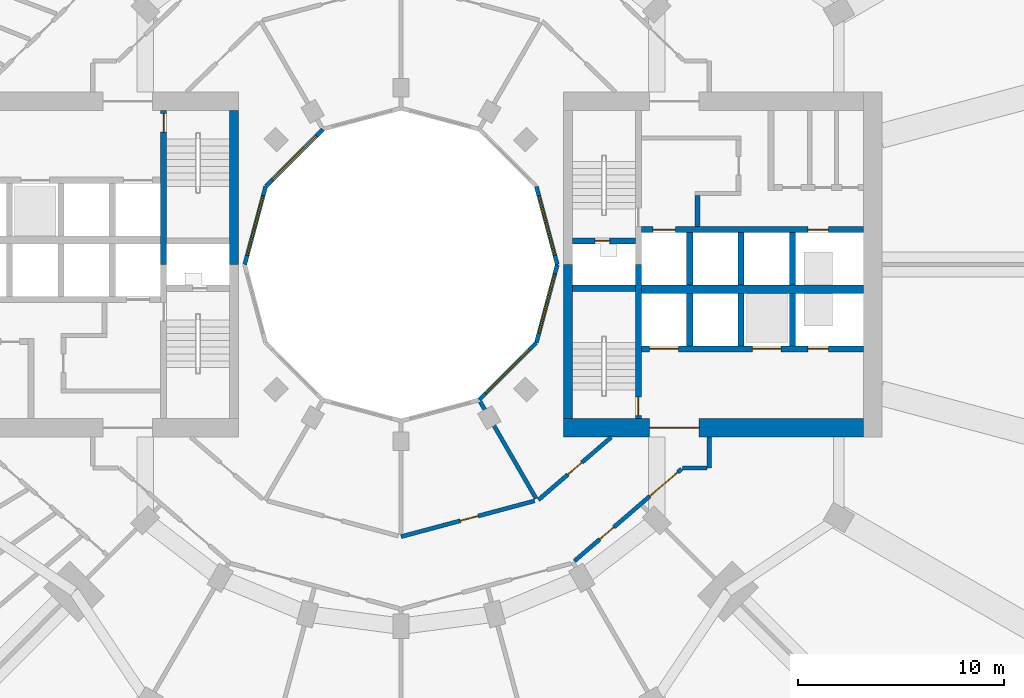
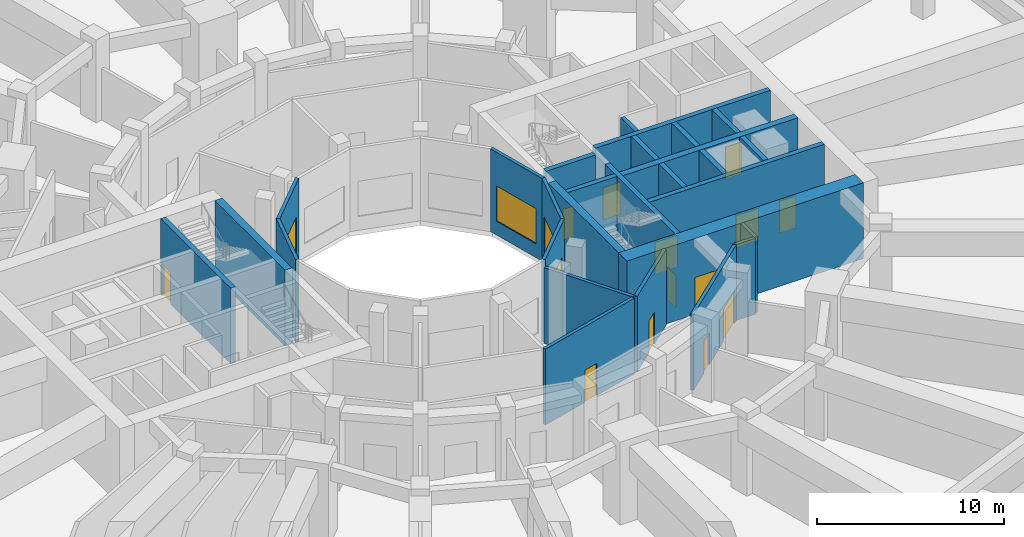
# One storey, part 24 of 30: 28 walls, 13 doors, 5 windows, 18 openings.
"""IFC4 building model written with IfcOpenShell, lengths in metres."""

from ifc_helpers import new_model, si_unit, direction, frame, frame_2d, origin, place, context, subcontext, project, spatial, rectangle, extrude, material, layer, layer_set, type_object, element, fill, save


model = new_model("IFC4")

# Units and contexts
model_context = context("Model", 3, precision=1e-05, world=origin(), true_north=direction((0.0, 1.0)))
body_context = subcontext(model_context, "Body", "Model", "MODEL_VIEW")
ifc_project = project(units=[si_unit("LENGTHUNIT", "METRE"), si_unit("AREAUNIT", "SQUARE_METRE"), si_unit("VOLUMEUNIT", "CUBIC_METRE"), si_unit("PLANEANGLEUNIT", "RADIAN"), si_unit("MASSUNIT", "GRAM", prefix="KILO")], contexts=[model_context])

# Site, building, storey
site_placement = place(None, origin())
site = spatial("IfcSite", under=ifc_project, at=site_placement, CompositionType="ELEMENT")
building_placement = place(site_placement, origin())
building = spatial("IfcBuilding", under=site, at=building_placement, Name="Torre Brocal", CompositionType="ELEMENT")
storey_placement = place(building_placement, frame((0.0, 0.0, 7.0)))
storey = spatial("IfcBuildingStorey", under=building, at=storey_placement, Name="L01", CompositionType="ELEMENT", Elevation=7.0)

# Wall
ifc_material_1 = material(Name="Concrete C80", Category="concrete")
ifc_layer_1 = layer(ifc_material_1, 0.25)
ifc_layer_set_1 = layer_set([ifc_layer_1], Name="Concrete C80")
wall_type_1 = type_object("IfcWallType", Name="CORE WALL 250 C80 UNDER 450 SLAB", PredefinedType="SHEAR", material=ifc_layer_set_1)
wall_1_placement = place(storey_placement, frame((94.425048828125, 76.85009765625, 0.0), z_axis=(0.0, 0.0, 1.0), x_axis=(0.0, 1.0, 0.0)))
element("IfcWall", 1, at=wall_1_placement, inside=storey, type_object=wall_type_1, Name="Wall CW250-80-S450", PredefinedType="SHEAR", context=body_context, shape_type="SweptSolid", body=[
    extrude(rectangle(XDim=1.5, YDim=0.25, at=frame_2d((0.75, 0.0))), origin(), (0.0, 0.0, 1.0), 4.949951171875),
])

# Wall, opening, door
ifc_material_2 = material(Name="Concrete C80", Category="concrete")
ifc_layer_2 = layer(ifc_material_2, 0.300048828125)
ifc_layer_set_2 = layer_set([ifc_layer_2], Name="Concrete C80")
wall_type_2 = type_object("IfcWallType", Name="CORE WALL 300 C80 UNDER 450 SLAB", PredefinedType="SHEAR", material=ifc_layer_set_2)
wall_2_placement = place(storey_placement, frame((91.550048828125, 67.5, 0.0), z_axis=(0.0, 0.0, 1.0), x_axis=(0.0, 1.0, 0.0)))
wall_2 = element("IfcWall", 2, at=wall_2_placement, inside=storey, type_object=wall_type_2, Name="Wall CW300-80-S450", PredefinedType="SHEAR", context=body_context, shape_type="SweptSolid", body=[
    extrude(rectangle(XDim=7.5, YDim=0.300048828125, at=frame_2d((3.75, 0.0))), origin(), (0.0, 0.0, 1.0), 4.949951171875),
])
opening_1_placement = place(wall_2_placement, frame((0.14990234375, 0.0, 0.0)))
opening_1 = element("IfcOpeningElement", 3, at=opening_1_placement, cuts=wall_2, Name="Opening E-D03", PredefinedType="OPENING", context=body_context, shape_type="SweptSolid", body=[
    extrude(rectangle(XDim=0.89990234375, YDim=2.10009765625, at=frame_2d((0.449951171875, 1.050048828125))), frame((0.0, 0.159912109375, 0.0), z_axis=(0.0, -1.0, 0.0), x_axis=(1.0, 0.0, 0.0)), (0.0, 0.0, 1.0), 0.320068359375),
])
ifc_material_3 = material(Name="Steel A653", Category="steel")
door_type_1 = type_object("IfcDoorType", Name="STAIR DOOR FD120 900X2100", OperationType="SINGLE_SWING_RIGHT", PredefinedType="DOOR", material=ifc_material_3)
door_1_placement = place(opening_1_placement, origin())
door_1 = element("IfcDoor", 4, at=door_1_placement, inside=storey, type_object=door_type_1, Name="Door E-D03", OperationType="SINGLE_SWING_LEFT", OverallHeight=2.10009765625, OverallWidth=0.89990234375, PredefinedType="DOOR", context=body_context, shape_type="SweptSolid", body=[
    extrude(rectangle(XDim=0.89990234375, YDim=2.10009765625, at=frame_2d((0.449951171875, 1.050048828125))), frame((0.0, 0.02490234375, 0.0), z_axis=(0.0, -1.0, 0.0), x_axis=(1.0, 0.0, 0.0)), (0.0, 0.0, 1.0), 0.050048828125),
])
fill(opening_1, door_1)

wall_3_placement = place(storey_placement, frame((88.35009765625, 76.14990234375, 0.0), z_axis=(0.0, 0.0, 1.0), x_axis=(1.0, 0.0, 0.0)))
wall_3 = element("IfcWall", 5, at=wall_3_placement, inside=storey, type_object=wall_type_2, Name="Wall CW300-80-S450", PredefinedType="SHEAR", context=body_context, shape_type="SweptSolid", body=[
    extrude(rectangle(XDim=3.0498046875, YDim=0.300048828125, at=frame_2d((1.52490234375, 0.0))), origin(), (0.0, 0.0, 1.0), 4.949951171875),
])
opening_2_placement = place(wall_3_placement, frame((1.10009765625, 0.0, 0.0)))
opening_2 = element("IfcOpeningElement", 6, at=opening_2_placement, cuts=wall_3, Name="Opening E-D01", PredefinedType="OPENING", context=body_context, shape_type="SweptSolid", body=[
    extrude(rectangle(XDim=0.699951171875, YDim=2.0, at=frame_2d((0.35009765625, 1.0))), frame((0.0, 0.159912109375, 0.0), z_axis=(0.0, -1.0, 0.0), x_axis=(1.0, 0.0, 0.0)), (0.0, 0.0, 1.0), 0.320068359375),
])
ifc_material_4 = material(Name="Steel A653", Category="steel")
door_type_2 = type_object("IfcDoorType", Name="RISER DOOR FD120 700X2000", OperationType="SINGLE_SWING_LEFT", PredefinedType="DOOR", material=ifc_material_4)
door_2_placement = place(opening_2_placement, frame((0.699951171875, 0.0, 0.0), z_axis=(0.0, 0.0, 1.0), x_axis=(-1.0, 0.0, 0.0)))
door_2 = element("IfcDoor", 7, at=door_2_placement, inside=storey, type_object=door_type_2, Name="Door E-D01", OperationType="SINGLE_SWING_RIGHT", OverallHeight=2.0, OverallWidth=0.699951171875, PredefinedType="DOOR", context=body_context, shape_type="SweptSolid", body=[
    extrude(rectangle(XDim=0.699951171875, YDim=2.0, at=frame_2d((0.35009765625, 1.0))), frame((0.0, 0.02490234375, 0.0), z_axis=(0.0, -1.0, 0.0), x_axis=(1.0, 0.0, 0.0)), (0.0, 0.0, 1.0), 0.050048828125),
])
fill(opening_2, door_2)

# Wall
wall_4_placement = place(storey_placement, frame((88.35009765625, 73.85009765625, 0.0), z_axis=(0.0, 0.0, 1.0), x_axis=(1.0, 0.0, 0.0)))
element("IfcWall", 8, at=wall_4_placement, inside=storey, type_object=wall_type_2, Name="Wall CW300-80-S450", PredefinedType="SHEAR", context=body_context, shape_type="SweptSolid", body=[
    extrude(rectangle(XDim=3.0498046875, YDim=0.300048828125, at=frame_2d((1.52490234375, 0.0))), origin(), (0.0, 0.0, 1.0), 4.949951171875),
])

# Wall, openings, doors
wall_5_placement = place(storey_placement, frame((91.699951171875, 76.699951171875, 0.0), z_axis=(0.0, 0.0, 1.0), x_axis=(1.0, 0.0, 0.0)))
wall_5 = element("IfcWall", 9, at=wall_5_placement, inside=storey, type_object=wall_type_2, Name="Wall CW300-80-S450", PredefinedType="SHEAR", context=body_context, shape_type="SweptSolid", body=[
    extrude(rectangle(XDim=10.800048828125, YDim=0.300048828125, at=frame_2d((5.39990234375, 0.0))), origin(), (0.0, 0.0, 1.0), 4.949951171875),
])
opening_3_placement = place(wall_5_placement, frame((0.550048828125, 0.0, 0.0)))
opening_3 = element("IfcOpeningElement", 10, at=opening_3_placement, cuts=wall_5, Name="Opening LD", PredefinedType="OPENING", context=body_context, shape_type="SweptSolid", body=[
    extrude(rectangle(XDim=1.10009765625, YDim=2.10009765625, at=frame_2d((0.550048828125, 1.050048828125))), frame((0.0, 0.159912109375, 0.0), z_axis=(0.0, -1.0, 0.0), x_axis=(1.0, 0.0, 0.0)), (0.0, 0.0, 1.0), 0.320068359375),
])
opening_4_placement = place(wall_5_placement, frame((8.10009765625, 0.0, 0.0)))
opening_4 = element("IfcOpeningElement", 11, at=opening_4_placement, cuts=wall_5, Name="Opening LD10", PredefinedType="OPENING", context=body_context, shape_type="SweptSolid", body=[
    extrude(rectangle(XDim=1.0, YDim=2.10009765625, at=frame_2d((0.5, 1.050048828125))), frame((0.0, 0.159912109375, 0.0), z_axis=(0.0, -1.0, 0.0), x_axis=(1.0, 0.0, 0.0)), (0.0, 0.0, 1.0), 0.320068359375),
])
ifc_material_5 = material(Name="Stainless steel AISI 316", Category="steel")
door_type_3 = type_object("IfcDoorType", Name="LIFT LANDING DOOR 1000X2100", OperationType="DOUBLE_DOOR_SLIDING", PredefinedType="DOOR", material=ifc_material_5)
door_3_placement = place(opening_4_placement, origin())
door_3 = element("IfcDoor", 12, at=door_3_placement, inside=storey, type_object=door_type_3, Name="Door LD10", OperationType="DOUBLE_DOOR_SLIDING", OverallHeight=2.10009765625, OverallWidth=1.0, PredefinedType="DOOR", context=body_context, shape_type="SweptSolid", body=[
    extrude(rectangle(XDim=1.0, YDim=2.10009765625, at=frame_2d((0.5, 1.050048828125))), frame((0.0, 0.02490234375, 0.0), z_axis=(0.0, -1.0, 0.0), x_axis=(1.0, 0.0, 0.0)), (0.0, 0.0, 1.0), 0.050048828125),
])
fill(opening_4, door_3)
ifc_material_6 = material(Name="Stainless steel AISI 316", Category="steel")
door_type_4 = type_object("IfcDoorType", Name="LIFT LANDING DOOR 1100X2100", OperationType="DOUBLE_DOOR_SLIDING", PredefinedType="DOOR", material=ifc_material_6)
door_4_placement = place(opening_3_placement, origin())
door_4 = element("IfcDoor", 13, at=door_4_placement, inside=storey, type_object=door_type_4, Name="Door LD", OperationType="DOUBLE_DOOR_SLIDING", OverallHeight=2.10009765625, OverallWidth=1.10009765625, PredefinedType="DOOR", context=body_context, shape_type="SweptSolid", body=[
    extrude(rectangle(XDim=1.10009765625, YDim=2.10009765625, at=frame_2d((0.550048828125, 1.050048828125))), frame((0.0, 0.02490234375, 0.0), z_axis=(0.0, -1.0, 0.0), x_axis=(1.0, 0.0, 0.0)), (0.0, 0.0, 1.0), 0.050048828125),
])
fill(opening_3, door_4)

wall_6_placement = place(storey_placement, frame((91.699951171875, 70.89990234375, 0.0), z_axis=(0.0, 0.0, 1.0), x_axis=(1.0, 0.0, 0.0)))
wall_6 = element("IfcWall", 14, at=wall_6_placement, inside=storey, type_object=wall_type_2, Name="Wall CW300-80-S450", PredefinedType="SHEAR", context=body_context, shape_type="SweptSolid", body=[
    extrude(rectangle(XDim=10.800048828125, YDim=0.300048828125, at=frame_2d((5.39990234375, 0.0))), origin(), (0.0, 0.0, 1.0), 4.949951171875),
])
opening_5_placement = place(wall_6_placement, frame((0.39990234375, 0.0, 0.0)))
opening_5 = element("IfcOpeningElement", 15, at=opening_5_placement, cuts=wall_6, Name="Opening LD14", PredefinedType="OPENING", context=body_context, shape_type="SweptSolid", body=[
    extrude(rectangle(XDim=1.39990234375, YDim=2.10009765625, at=frame_2d((0.699951171875, 1.050048828125))), frame((0.0, 0.159912109375, 0.0), z_axis=(0.0, -1.0, 0.0), x_axis=(1.0, 0.0, 0.0)), (0.0, 0.0, 1.0), 0.320068359375),
])
opening_6_placement = place(wall_6_placement, frame((5.39990234375, 0.0, 0.0)))
opening_6 = element("IfcOpeningElement", 16, at=opening_6_placement, cuts=wall_6, Name="Opening LD14", PredefinedType="OPENING", context=body_context, shape_type="SweptSolid", body=[
    extrude(rectangle(XDim=1.39990234375, YDim=2.10009765625, at=frame_2d((0.699951171875, 1.050048828125))), frame((0.0, 0.159912109375, 0.0), z_axis=(0.0, -1.0, 0.0), x_axis=(1.0, 0.0, 0.0)), (0.0, 0.0, 1.0), 0.320068359375),
])
opening_7_placement = place(wall_6_placement, frame((8.10009765625, 0.0, 0.0)))
opening_7 = element("IfcOpeningElement", 17, at=opening_7_placement, cuts=wall_6, Name="Opening LD10", PredefinedType="OPENING", context=body_context, shape_type="SweptSolid", body=[
    extrude(rectangle(XDim=1.0, YDim=2.10009765625, at=frame_2d((0.5, 1.050048828125))), frame((0.0, 0.159912109375, 0.0), z_axis=(0.0, -1.0, 0.0), x_axis=(1.0, 0.0, 0.0)), (0.0, 0.0, 1.0), 0.320068359375),
])
door_5_placement = place(opening_7_placement, origin())
door_5 = element("IfcDoor", 18, at=door_5_placement, inside=storey, type_object=door_type_3, Name="Door LD10", OperationType="DOUBLE_DOOR_SLIDING", OverallHeight=2.10009765625, OverallWidth=1.0, PredefinedType="DOOR", context=body_context, shape_type="SweptSolid", body=[
    extrude(rectangle(XDim=1.0, YDim=2.10009765625, at=frame_2d((0.5, 1.050048828125))), frame((0.0, 0.02490234375, 0.0), z_axis=(0.0, -1.0, 0.0), x_axis=(1.0, 0.0, 0.0)), (0.0, 0.0, 1.0), 0.050048828125),
])
fill(opening_7, door_5)
ifc_material_7 = material(Name="Stainless steel AISI 316", Category="steel")
door_type_5 = type_object("IfcDoorType", Name="LIFT LANDING DOOR 1400X2100", OperationType="DOUBLE_DOOR_SLIDING", PredefinedType="DOOR", material=ifc_material_7)
door_6_placement = place(opening_5_placement, origin())
door_6 = element("IfcDoor", 19, at=door_6_placement, inside=storey, type_object=door_type_5, Name="Door LD14", OperationType="DOUBLE_DOOR_SLIDING", OverallHeight=2.10009765625, OverallWidth=1.39990234375, PredefinedType="DOOR", context=body_context, shape_type="SweptSolid", body=[
    extrude(rectangle(XDim=1.39990234375, YDim=2.10009765625, at=frame_2d((0.699951171875, 1.050048828125))), frame((0.0, 0.02490234375, 0.0), z_axis=(0.0, -1.0, 0.0), x_axis=(1.0, 0.0, 0.0)), (0.0, 0.0, 1.0), 0.050048828125),
])
fill(opening_5, door_6)
door_7_placement = place(opening_6_placement, origin())
door_7 = element("IfcDoor", 20, at=door_7_placement, inside=storey, type_object=door_type_5, Name="Door LD14", OperationType="DOUBLE_DOOR_SLIDING", OverallHeight=2.10009765625, OverallWidth=1.39990234375, PredefinedType="DOOR", context=body_context, shape_type="SweptSolid", body=[
    extrude(rectangle(XDim=1.39990234375, YDim=2.10009765625, at=frame_2d((0.699951171875, 1.050048828125))), frame((0.0, 0.02490234375, 0.0), z_axis=(0.0, -1.0, 0.0), x_axis=(1.0, 0.0, 0.0)), (0.0, 0.0, 1.0), 0.050048828125),
])
fill(opening_6, door_7)

# Walls
for number, where, z_axis, x_axis, name in (
    (21, (94.050048828125, 74.0, 0.0), (0.0, 0.0, 1.0), (0.0, 1.0, 0.0), "Wall CW300-80-S450"),
    (22, (96.550048828125, 74.0, 0.0), (0.0, 0.0, 1.0), (0.0, 1.0, 0.0), "Wall CW300-80-S450"),
    (23, (99.050048828125, 74.0, 0.0), (0.0, 0.0, 1.0), (0.0, 1.0, 0.0), "Wall CW300-80-S450"),
    (24, (94.050048828125, 71.050048828125, 0.0), (0.0, 0.0, 1.0), (0.0, 1.0, 0.0), "Wall CW300-80-S450"),
    (25, (96.550048828125, 71.050048828125, 0.0), (0.0, 0.0, 1.0), (0.0, 1.0, 0.0), "Wall CW300-80-S450"),
    (26, (99.050048828125, 71.050048828125, 0.0), (0.0, 0.0, 1.0), (0.0, 1.0, 0.0), "Wall CW300-80-S450"),
):
    element("IfcWall", number, at=place(storey_placement, frame(where, z_axis=z_axis, x_axis=x_axis)), inside=storey, type_object=wall_type_2, Name=name, PredefinedType="SHEAR", context=body_context, shape_type="SweptSolid", body=[
        extrude(rectangle(XDim=2.550048828125, YDim=0.300048828125, at=frame_2d((1.27490234375, 0.0))), origin(), (0.0, 0.0, 1.0), 4.949951171875),
    ])

# Wall, opening, door
wall_7_placement = place(storey_placement, frame((68.449951171875, 82.5, 0.0), z_axis=(0.0, 0.0, 1.0), x_axis=(0.0, -1.0, 0.0)))
wall_7 = element("IfcWall", 27, at=wall_7_placement, inside=storey, type_object=wall_type_2, Name="Wall CW300-80-S450", PredefinedType="SHEAR", context=body_context, shape_type="SweptSolid", body=[
    extrude(rectangle(XDim=7.5, YDim=0.300048828125, at=frame_2d((3.75, 0.0))), origin(), (0.0, 0.0, 1.0), 4.949951171875),
])
opening_8_placement = place(wall_7_placement, frame((0.14990234375, 0.0, 0.0)))
opening_8 = element("IfcOpeningElement", 28, at=opening_8_placement, cuts=wall_7, Name="Opening W-D03", PredefinedType="OPENING", context=body_context, shape_type="SweptSolid", body=[
    extrude(rectangle(XDim=0.89990234375, YDim=2.10009765625, at=frame_2d((0.449951171875, 1.050048828125))), frame((0.0, 0.159912109375, 0.0), z_axis=(0.0, -1.0, 0.0), x_axis=(1.0, 0.0, 0.0)), (0.0, 0.0, 1.0), 0.320068359375),
])
door_8_placement = place(opening_8_placement, origin())
door_8 = element("IfcDoor", 29, at=door_8_placement, inside=storey, type_object=door_type_1, Name="Door W-D03", OperationType="SINGLE_SWING_LEFT", OverallHeight=2.10009765625, OverallWidth=0.89990234375, PredefinedType="DOOR", context=body_context, shape_type="SweptSolid", body=[
    extrude(rectangle(XDim=0.89990234375, YDim=2.10009765625, at=frame_2d((0.449951171875, 1.050048828125))), frame((0.0, 0.02490234375, 0.0), z_axis=(0.0, -1.0, 0.0), x_axis=(1.0, 0.0, 0.0)), (0.0, 0.0, 1.0), 0.050048828125),
])
fill(opening_8, door_8)

# Walls
ifc_material_8 = material(Name="Concrete C80", Category="concrete")
ifc_layer_3 = layer(ifc_material_8, 0.39990234375)
ifc_layer_set_3 = layer_set([ifc_layer_3], Name="Concrete C80")
wall_type_3 = type_object("IfcWallType", Name="CORE WALL 400 C80 UNDER 450 SLAB", PredefinedType="SHEAR", material=ifc_layer_set_3)
wall_8_placement = place(storey_placement, frame((91.699951171875, 73.800048828125, 0.0), z_axis=(0.0, 0.0, 1.0), x_axis=(1.0, 0.0, 0.0)))
element("IfcWall", 30, at=wall_8_placement, inside=storey, type_object=wall_type_3, Name="Wall CW400-80-S450", PredefinedType="SHEAR", context=body_context, shape_type="SweptSolid", body=[
    extrude(rectangle(XDim=10.800048828125, YDim=0.39990234375, at=frame_2d((5.39990234375, 0.0))), origin(), (0.0, 0.0, 1.0), 4.949951171875),
])
ifc_material_9 = material(Name="Concrete C80", Category="concrete")
ifc_layer_4 = layer(ifc_material_9, 0.449951171875)
ifc_layer_set_4 = layer_set([ifc_layer_4], Name="Concrete C80")
wall_type_4 = type_object("IfcWallType", Name="CORE WALL 450 C80 UNDER 450 SLAB", PredefinedType="SHEAR", material=ifc_layer_set_4)
for number, where, z_axis, x_axis, name in (
    (31, (88.125, 67.5, 0.0), (0.0, 0.0, 1.0), (0.0, 1.0, 0.0), "Wall CW450-80-S450"),
    (32, (71.875, 82.5, 0.0), (0.0, 0.0, 1.0), (0.0, -1.0, 0.0), "Wall CW450-80-S450"),
):
    element("IfcWall", number, at=place(storey_placement, frame(where, z_axis=z_axis, x_axis=x_axis)), inside=storey, type_object=wall_type_4, Name=name, PredefinedType="SHEAR", context=body_context, shape_type="SweptSolid", body=[
        extrude(rectangle(XDim=7.5, YDim=0.449951171875, at=frame_2d((3.75, 0.0))), origin(), (0.0, 0.0, 1.0), 4.949951171875),
    ])

# Wall, opening, door
ifc_material_10 = material(Name="Concrete C80", Category="concrete")
ifc_layer_5 = layer(ifc_material_10, 0.89990234375)
ifc_layer_set_5 = layer_set([ifc_layer_5], Name="Concrete C80")
wall_type_5 = type_object("IfcWallType", Name="CORE WALL 900 C80 UNDER 450 SLAB", PredefinedType="SHEAR", material=ifc_layer_set_5)
wall_9_placement = place(storey_placement, frame((87.89990234375, 67.050048828125, 0.0), z_axis=(0.0, 0.0, 1.0), x_axis=(1.0, 0.0, 0.0)))
wall_9 = element("IfcWall", 33, at=wall_9_placement, inside=storey, type_object=wall_type_5, Name="Wall CW900-80-S450", PredefinedType="SHEAR", context=body_context, shape_type="SweptSolid", body=[
    extrude(rectangle(XDim=14.60009765625, YDim=0.89990234375, at=frame_2d((7.300048828125, 0.0))), origin(), (0.0, 0.0, 1.0), 4.949951171875),
])
opening_9_placement = place(wall_9_placement, frame((4.199951171875, 0.0, 0.0)))
opening_9 = element("IfcOpeningElement", 34, at=opening_9_placement, cuts=wall_9, Name="Opening E-D30", PredefinedType="OPENING", context=body_context, shape_type="SweptSolid", body=[
    extrude(rectangle(XDim=2.39990234375, YDim=2.39990234375, at=frame_2d((1.199951171875, 1.199951171875))), frame((0.0, 0.4599609375, 0.0), z_axis=(0.0, -1.0, 0.0), x_axis=(1.0, 0.0, 0.0)), (0.0, 0.0, 1.0), 0.919921875),
])
ifc_material_11 = material(Name="Steel A653", Category="steel")
door_type_6 = type_object("IfcDoorType", Name="DOUBLE FIRE DOOR FD90 2400X2400", OperationType="DOUBLE_DOOR_SINGLE_SWING", PredefinedType="DOOR", material=ifc_material_11)
door_9_placement = place(opening_9_placement, origin())
door_9 = element("IfcDoor", 35, at=door_9_placement, inside=storey, type_object=door_type_6, Name="Door E-D30", OperationType="DOUBLE_DOOR_SINGLE_SWING", OverallHeight=2.39990234375, OverallWidth=2.39990234375, PredefinedType="DOOR", context=body_context, shape_type="SweptSolid", body=[
    extrude(rectangle(XDim=2.39990234375, YDim=2.39990234375, at=frame_2d((1.199951171875, 1.199951171875))), frame((0.0, 0.02490234375, 0.0), z_axis=(0.0, -1.0, 0.0), x_axis=(1.0, 0.0, 0.0)), (0.0, 0.0, 1.0), 0.050048828125),
])
fill(opening_9, door_9)

ifc_material_12 = material(Name="Gypsum board", Category="Gypsum")
ifc_layer_6 = layer(ifc_material_12, 0.199951171875)
ifc_layer_set_6 = layer_set([ifc_layer_6], Name="Gypsum board")
wall_type_6 = type_object("IfcWallType", Name="PARTITION 200 EI60", PredefinedType="PARTITIONING", material=ifc_layer_set_6)
wall_10_placement = place(storey_placement, frame((80.0, 61.760009765625, 0.0), z_axis=(0.0, 0.0, 1.0), x_axis=(0.965932810031, 0.258792980017, 0.0)))
wall_10 = element("IfcWall", 36, at=wall_10_placement, inside=storey, type_object=wall_type_6, Name="CORRIDOR WALL", PredefinedType="PARTITIONING", context=body_context, shape_type="SweptSolid", body=[
    extrude(rectangle(XDim=6.720703125, YDim=0.199951171875, at=frame_2d((3.3603515625, 0.0))), origin(), (0.0, 0.0, 1.0), 4.949951171875),
])
opening_10_placement = place(wall_10_placement, frame((2.986572265625, 0.0, 0.0)))
opening_10 = element("IfcOpeningElement", 37, at=opening_10_placement, cuts=wall_10, Name="Opening PD1-D32", PredefinedType="OPENING", context=body_context, shape_type="SweptSolid", body=[
    extrude(rectangle(XDim=0.89990234375, YDim=2.10009765625, at=frame_2d((0.449951171875, 1.050048828125))), frame((0.0, 0.10986328125, 0.0), z_axis=(0.0, -1.0, 0.0), x_axis=(1.0, 0.0, 0.0)), (0.0, 0.0, 1.0), 0.219970703125),
])
ifc_material_13 = material(Name="Timber", Category="wood")
door_type_7 = type_object("IfcDoorType", Name="ROOM DOOR 900X2100", OperationType="SINGLE_SWING_LEFT", PredefinedType="DOOR", material=ifc_material_13)
door_10_placement = place(opening_10_placement, origin())
door_10 = element("IfcDoor", 38, at=door_10_placement, inside=storey, type_object=door_type_7, Name="PD1-D32", OperationType="SINGLE_SWING_RIGHT", OverallHeight=2.10009765625, OverallWidth=0.89990234375, PredefinedType="DOOR", context=body_context, shape_type="SweptSolid", body=[
    extrude(rectangle(XDim=0.89990234375, YDim=2.10009765625, at=frame_2d((0.449951171875, 1.050048828125))), frame((0.0, 0.02490234375, 0.0), z_axis=(0.0, -1.0, 0.0), x_axis=(1.0, 0.0, 0.0)), (0.0, 0.0, 1.0), 0.050048828125),
])
fill(opening_10, door_10)

# Wall
wall_11_placement = place(storey_placement, frame((83.84912109375, 68.3330078125, 0.0), z_axis=(0.0, 0.0, 1.0), x_axis=(0.49997314572, -0.866040907555, 0.0)))
element("IfcWall", 39, at=wall_11_placement, inside=storey, type_object=wall_type_6, Name="SERVICE ROOM WALL", PredefinedType="PARTITIONING", context=body_context, shape_type="SweptSolid", body=[
    extrude(rectangle(XDim=5.451416015625, YDim=0.199951171875, at=frame_2d((2.7255859375, 0.0))), origin(), (0.0, 0.0, 1.0), 4.949951171875),
])

# Wall, opening, door
wall_12_placement = place(storey_placement, frame((86.68505859375, 63.551025390625, 0.0), z_axis=(0.0, 0.0, 1.0), x_axis=(0.758049900748, 0.652196556244, 0.0)))
wall_12 = element("IfcWall", 40, at=wall_12_placement, inside=storey, type_object=wall_type_6, Name="CORRIDOR WALL", PredefinedType="PARTITIONING", context=body_context, shape_type="SweptSolid", body=[
    extrude(rectangle(XDim=4.675048828125, YDim=0.199951171875, at=frame_2d((2.33740234375, 0.0))), origin(), (0.0, 0.0, 1.0), 4.949951171875),
])
opening_11_placement = place(wall_12_placement, frame((1.887451171875, 0.0, 0.0)))
opening_11 = element("IfcOpeningElement", 41, at=opening_11_placement, cuts=wall_12, Name="Opening PD1-D31", PredefinedType="OPENING", context=body_context, shape_type="SweptSolid", body=[
    extrude(rectangle(XDim=0.89990234375, YDim=2.10009765625, at=frame_2d((0.449951171875, 1.050048828125))), frame((0.0, 0.10986328125, 0.0), z_axis=(0.0, -1.0, 0.0), x_axis=(1.0, 0.0, 0.0)), (0.0, 0.0, 1.0), 0.219970703125),
])
door_11_placement = place(opening_11_placement, origin())
door_11 = element("IfcDoor", 42, at=door_11_placement, inside=storey, type_object=door_type_7, Name="PD1-D31", OperationType="SINGLE_SWING_RIGHT", OverallHeight=2.10009765625, OverallWidth=0.89990234375, PredefinedType="DOOR", context=body_context, shape_type="SweptSolid", body=[
    extrude(rectangle(XDim=0.89990234375, YDim=2.10009765625, at=frame_2d((0.449951171875, 1.050048828125))), frame((0.0, 0.02490234375, 0.0), z_axis=(0.0, -1.0, 0.0), x_axis=(1.0, 0.0, 0.0)), (0.0, 0.0, 1.0), 0.050048828125),
])
fill(opening_11, door_11)

# Wall, openings, doors
wall_13_placement = place(storey_placement, frame((88.436279296875, 60.572509765625, 0.0), z_axis=(0.0, 0.0, 1.0), x_axis=(0.758186248639, 0.652038045189, 0.0)))
wall_13 = element("IfcWall", 43, at=wall_13_placement, inside=storey, type_object=wall_type_6, Name="CORRIDOR WALL", PredefinedType="PARTITIONING", context=body_context, shape_type="SweptSolid", body=[
    extrude(rectangle(XDim=6.881591796875, YDim=0.199951171875, at=frame_2d((3.44091796875, 0.0))), origin(), (0.0, 0.0, 1.0), 4.949951171875),
])
opening_12_placement = place(wall_13_placement, frame((4.83544921875, 0.0, 0.0)))
opening_12 = element("IfcOpeningElement", 44, at=opening_12_placement, cuts=wall_13, Name="Opening PD1-D18", PredefinedType="OPENING", context=body_context, shape_type="SweptSolid", body=[
    extrude(rectangle(XDim=1.800048828125, YDim=2.10009765625, at=frame_2d((0.89990234375, 1.050048828125))), frame((0.0, 0.10986328125, 0.0), z_axis=(0.0, -1.0, 0.0), x_axis=(1.0, 0.0, 0.0)), (0.0, 0.0, 1.0), 0.219970703125),
])
opening_13_placement = place(wall_13_placement, frame((1.627197265625, 0.0, 0.0)))
opening_13 = element("IfcOpeningElement", 45, at=opening_13_placement, cuts=wall_13, Name="Opening PD1-D19", PredefinedType="OPENING", context=body_context, shape_type="SweptSolid", body=[
    extrude(rectangle(XDim=0.89990234375, YDim=2.10009765625, at=frame_2d((0.449951171875, 1.050048828125))), frame((0.0, 0.10986328125, 0.0), z_axis=(0.0, -1.0, 0.0), x_axis=(1.0, 0.0, 0.0)), (0.0, 0.0, 1.0), 0.219970703125),
])
ifc_material_14 = material(Name="Timber", Category="wood")
door_type_8 = type_object("IfcDoorType", Name="DOUBLE DOOR 1800X2100", OperationType="DOUBLE_DOOR_SINGLE_SWING", PredefinedType="DOOR", material=ifc_material_14)
door_12_placement = place(opening_12_placement, frame((1.800048828125, 0.0, 0.0), z_axis=(0.0, 0.0, 1.0), x_axis=(-1.0, 0.0, 0.0)))
door_12 = element("IfcDoor", 46, at=door_12_placement, inside=storey, type_object=door_type_8, Name="PD1-D18", OperationType="DOUBLE_DOOR_SINGLE_SWING", OverallHeight=2.10009765625, OverallWidth=1.800048828125, PredefinedType="DOOR", context=body_context, shape_type="SweptSolid", body=[
    extrude(rectangle(XDim=1.800048828125, YDim=2.10009765625, at=frame_2d((0.89990234375, 1.050048828125))), frame((0.0, 0.02490234375, 0.0), z_axis=(0.0, -1.0, 0.0), x_axis=(1.0, 0.0, 0.0)), (0.0, 0.0, 1.0), 0.050048828125),
])
fill(opening_12, door_12)
door_13_placement = place(opening_13_placement, frame((0.89990234375, 0.0, 0.0), z_axis=(0.0, 0.0, 1.0), x_axis=(-1.0, 0.0, 0.0)))
door_13 = element("IfcDoor", 47, at=door_13_placement, inside=storey, type_object=door_type_7, Name="PD1-D19", OperationType="SINGLE_SWING_LEFT", OverallHeight=2.10009765625, OverallWidth=0.89990234375, PredefinedType="DOOR", context=body_context, shape_type="SweptSolid", body=[
    extrude(rectangle(XDim=0.89990234375, YDim=2.10009765625, at=frame_2d((0.449951171875, 1.050048828125))), frame((0.0, 0.02490234375, 0.0), z_axis=(0.0, -1.0, 0.0), x_axis=(1.0, 0.0, 0.0)), (0.0, 0.0, 1.0), 0.050048828125),
])
fill(opening_13, door_13)

# Walls
wall_14_placement = place(storey_placement, frame((93.697998046875, 65.10009765625, 0.0), z_axis=(0.0, 0.0, 1.0), x_axis=(1.0, 0.0, 0.0)))
element("IfcWall", 48, at=wall_14_placement, inside=storey, type_object=wall_type_6, Name="CORRIDOR WALL", PredefinedType="PARTITIONING", context=body_context, shape_type="SweptSolid", body=[
    extrude(rectangle(XDim=1.201904296875, YDim=0.199951171875, at=frame_2d((0.60107421875, 0.0))), origin(), (0.0, 0.0, 1.0), 4.949951171875),
])
wall_15_placement = place(storey_placement, frame((95.0, 65.10009765625, 0.0), z_axis=(0.0, 0.0, 1.0), x_axis=(0.0, 1.0, 0.0)))
element("IfcWall", 49, at=wall_15_placement, inside=storey, type_object=wall_type_6, Name="CORRIDOR WALL", PredefinedType="PARTITIONING", context=body_context, shape_type="SweptSolid", body=[
    extrude(rectangle(XDim=1.4990234375, YDim=0.199951171875, at=frame_2d((0.74951171875, 0.0))), origin(), (0.0, 0.0, 1.0), 4.949951171875),
])

# Wall, opening, window
ifc_material_15 = material(Name="Concrete C40", Category="concrete")
ifc_layer_7 = layer(ifc_material_15, 0.199951171875)
ifc_layer_set_7 = layer_set([ifc_layer_7], Name="Concrete C40")
wall_type_7 = type_object("IfcWallType", Name="WELL FACADE WALL 200", PredefinedType="NOTDEFINED", material=ifc_layer_set_7)
wall_16_placement = place(storey_placement, frame((87.603515625, 75.0, 0.0), z_axis=(0.0, 0.0, 1.0), x_axis=(-0.258789828301, 0.965933654434, 0.0)))
wall_16 = element("IfcWall", 50, at=wall_16_placement, inside=storey, type_object=wall_type_7, Name="WELL FACADE WALL", PredefinedType="NOTDEFINED", context=body_context, shape_type="SweptSolid", body=[
    extrude(rectangle(XDim=3.935791015625, YDim=0.199951171875, at=frame_2d((1.9677734375, 0.0))), origin(), (0.0, 0.0, 1.0), 5.39990234375),
])
opening_14_placement = place(wall_16_placement, frame((0.468017578125, 0.0, 0.89990234375)))
opening_14 = element("IfcOpeningElement", 51, at=opening_14_placement, cuts=wall_16, Name="Opening W1", PredefinedType="OPENING", context=body_context, shape_type="SweptSolid", body=[
    extrude(rectangle(XDim=3.0, YDim=2.300048828125, at=frame_2d((1.5, 1.14990234375))), frame((0.0, 0.10986328125, 0.0), z_axis=(0.0, -1.0, 0.0), x_axis=(1.0, 0.0, 0.0)), (0.0, 0.0, 1.0), 0.219970703125),
])
ifc_material_16 = material(Name="Aluminium and glass", Category="aluminium")
window_type = type_object("IfcWindowType", Name="WELL WINDOW 3000X2300", PartitioningType="SINGLE_PANEL", PredefinedType="WINDOW", material=ifc_material_16)
window_1_placement = place(opening_14_placement, origin())
window_1 = element("IfcWindow", 52, at=window_1_placement, inside=storey, type_object=window_type, Name="WELL WINDOW 3000X2300", OverallHeight=2.300048828125, OverallWidth=3.0, PartitioningType="SINGLE_PANEL", PredefinedType="WINDOW", context=body_context, shape_type="SweptSolid", body=[
    extrude(rectangle(XDim=3.0, YDim=2.300048828125, at=frame_2d((1.5, 1.14990234375))), frame((0.0, 0.030029296875, 0.0), z_axis=(0.0, -1.0, 0.0), x_axis=(1.0, 0.0, 0.0)), (0.0, 0.0, 1.0), 0.06005859375),
])
fill(opening_14, window_1)

wall_17_placement = place(storey_placement, frame((76.1982421875, 81.5849609375, 0.0), z_axis=(0.0, 0.0, 1.0), x_axis=(-0.707106781187, -0.707106781187, 0.0)))
wall_17 = element("IfcWall", 53, at=wall_17_placement, inside=storey, type_object=wall_type_7, Name="WELL FACADE WALL", PredefinedType="NOTDEFINED", context=body_context, shape_type="SweptSolid", body=[
    extrude(rectangle(XDim=3.93603515625, YDim=0.199951171875, at=frame_2d((1.968017578125, 0.0))), origin(), (0.0, 0.0, 1.0), 5.39990234375),
])
opening_15_placement = place(wall_17_placement, frame((0.468017578125, 0.0, 0.89990234375)))
opening_15 = element("IfcOpeningElement", 54, at=opening_15_placement, cuts=wall_17, Name="Opening W1", PredefinedType="OPENING", context=body_context, shape_type="SweptSolid", body=[
    extrude(rectangle(XDim=3.0, YDim=2.300048828125, at=frame_2d((1.5, 1.14990234375))), frame((0.0, 0.10986328125, 0.0), z_axis=(0.0, -1.0, 0.0), x_axis=(1.0, 0.0, 0.0)), (0.0, 0.0, 1.0), 0.219970703125),
])
window_2_placement = place(opening_15_placement, origin())
window_2 = element("IfcWindow", 55, at=window_2_placement, inside=storey, type_object=window_type, Name="WELL WINDOW 3000X2300", OverallHeight=2.300048828125, OverallWidth=3.0, PartitioningType="SINGLE_PANEL", PredefinedType="WINDOW", context=body_context, shape_type="SweptSolid", body=[
    extrude(rectangle(XDim=3.0, YDim=2.300048828125, at=frame_2d((1.5, 1.14990234375))), frame((0.0, 0.030029296875, 0.0), z_axis=(0.0, -1.0, 0.0), x_axis=(1.0, 0.0, 0.0)), (0.0, 0.0, 1.0), 0.06005859375),
])
fill(opening_15, window_2)

wall_18_placement = place(storey_placement, frame((73.4150390625, 78.8017578125, 0.0), z_axis=(0.0, 0.0, 1.0), x_axis=(-0.258789828301, -0.965933654434, 0.0)))
wall_18 = element("IfcWall", 56, at=wall_18_placement, inside=storey, type_object=wall_type_7, Name="WELL FACADE WALL", PredefinedType="NOTDEFINED", context=body_context, shape_type="SweptSolid", body=[
    extrude(rectangle(XDim=3.935791015625, YDim=0.199951171875, at=frame_2d((1.9677734375, 0.0))), origin(), (0.0, 0.0, 1.0), 5.39990234375),
])
opening_16_placement = place(wall_18_placement, frame((0.468017578125, 0.0, 0.89990234375)))
opening_16 = element("IfcOpeningElement", 57, at=opening_16_placement, cuts=wall_18, Name="Opening W1", PredefinedType="OPENING", context=body_context, shape_type="SweptSolid", body=[
    extrude(rectangle(XDim=3.0, YDim=2.300048828125, at=frame_2d((1.5, 1.14990234375))), frame((0.0, 0.10986328125, 0.0), z_axis=(0.0, -1.0, 0.0), x_axis=(1.0, 0.0, 0.0)), (0.0, 0.0, 1.0), 0.219970703125),
])
window_3_placement = place(opening_16_placement, origin())
window_3 = element("IfcWindow", 58, at=window_3_placement, inside=storey, type_object=window_type, Name="WELL WINDOW 3000X2300", OverallHeight=2.300048828125, OverallWidth=3.0, PartitioningType="SINGLE_PANEL", PredefinedType="WINDOW", context=body_context, shape_type="SweptSolid", body=[
    extrude(rectangle(XDim=3.0, YDim=2.300048828125, at=frame_2d((1.5, 1.14990234375))), frame((0.0, 0.030029296875, 0.0), z_axis=(0.0, -1.0, 0.0), x_axis=(1.0, 0.0, 0.0)), (0.0, 0.0, 1.0), 0.06005859375),
])
fill(opening_16, window_3)

wall_19_placement = place(storey_placement, frame((83.8017578125, 68.4150390625, 0.0), z_axis=(0.0, 0.0, 1.0), x_axis=(0.707106781187, 0.707106781187, 0.0)))
wall_19 = element("IfcWall", 59, at=wall_19_placement, inside=storey, type_object=wall_type_7, Name="WELL FACADE WALL", PredefinedType="NOTDEFINED", context=body_context, shape_type="SweptSolid", body=[
    extrude(rectangle(XDim=3.93603515625, YDim=0.199951171875, at=frame_2d((1.968017578125, 0.0))), origin(), (0.0, 0.0, 1.0), 5.39990234375),
])
opening_17_placement = place(wall_19_placement, frame((0.468017578125, 0.0, 0.89990234375)))
opening_17 = element("IfcOpeningElement", 60, at=opening_17_placement, cuts=wall_19, Name="Opening W1", PredefinedType="OPENING", context=body_context, shape_type="SweptSolid", body=[
    extrude(rectangle(XDim=3.0, YDim=2.300048828125, at=frame_2d((1.5, 1.14990234375))), frame((0.0, 0.10986328125, 0.0), z_axis=(0.0, -1.0, 0.0), x_axis=(1.0, 0.0, 0.0)), (0.0, 0.0, 1.0), 0.219970703125),
])
window_4_placement = place(opening_17_placement, origin())
window_4 = element("IfcWindow", 61, at=window_4_placement, inside=storey, type_object=window_type, Name="WELL WINDOW 3000X2300", OverallHeight=2.300048828125, OverallWidth=3.0, PartitioningType="SINGLE_PANEL", PredefinedType="WINDOW", context=body_context, shape_type="SweptSolid", body=[
    extrude(rectangle(XDim=3.0, YDim=2.300048828125, at=frame_2d((1.5, 1.14990234375))), frame((0.0, 0.030029296875, 0.0), z_axis=(0.0, -1.0, 0.0), x_axis=(1.0, 0.0, 0.0)), (0.0, 0.0, 1.0), 0.06005859375),
])
fill(opening_17, window_4)

wall_20_placement = place(storey_placement, frame((86.5849609375, 71.1982421875, 0.0), z_axis=(0.0, 0.0, 1.0), x_axis=(0.258789828301, 0.965933654434, 0.0)))
wall_20 = element("IfcWall", 62, at=wall_20_placement, inside=storey, type_object=wall_type_7, Name="WELL FACADE WALL", PredefinedType="NOTDEFINED", context=body_context, shape_type="SweptSolid", body=[
    extrude(rectangle(XDim=3.935791015625, YDim=0.199951171875, at=frame_2d((1.9677734375, 0.0))), origin(), (0.0, 0.0, 1.0), 5.39990234375),
])
opening_18_placement = place(wall_20_placement, frame((0.468017578125, 0.0, 0.89990234375)))
opening_18 = element("IfcOpeningElement", 63, at=opening_18_placement, cuts=wall_20, Name="Opening W1", PredefinedType="OPENING", context=body_context, shape_type="SweptSolid", body=[
    extrude(rectangle(XDim=3.0, YDim=2.300048828125, at=frame_2d((1.5, 1.14990234375))), frame((0.0, 0.10986328125, 0.0), z_axis=(0.0, -1.0, 0.0), x_axis=(1.0, 0.0, 0.0)), (0.0, 0.0, 1.0), 0.219970703125),
])
window_5_placement = place(opening_18_placement, origin())
window_5 = element("IfcWindow", 64, at=window_5_placement, inside=storey, type_object=window_type, Name="WELL WINDOW 3000X2300", OverallHeight=2.300048828125, OverallWidth=3.0, PartitioningType="SINGLE_PANEL", PredefinedType="WINDOW", context=body_context, shape_type="SweptSolid", body=[
    extrude(rectangle(XDim=3.0, YDim=2.300048828125, at=frame_2d((1.5, 1.14990234375))), frame((0.0, 0.030029296875, 0.0), z_axis=(0.0, -1.0, 0.0), x_axis=(1.0, 0.0, 0.0)), (0.0, 0.0, 1.0), 0.06005859375),
])
fill(opening_18, window_5)

save(model, "model.ifc")
